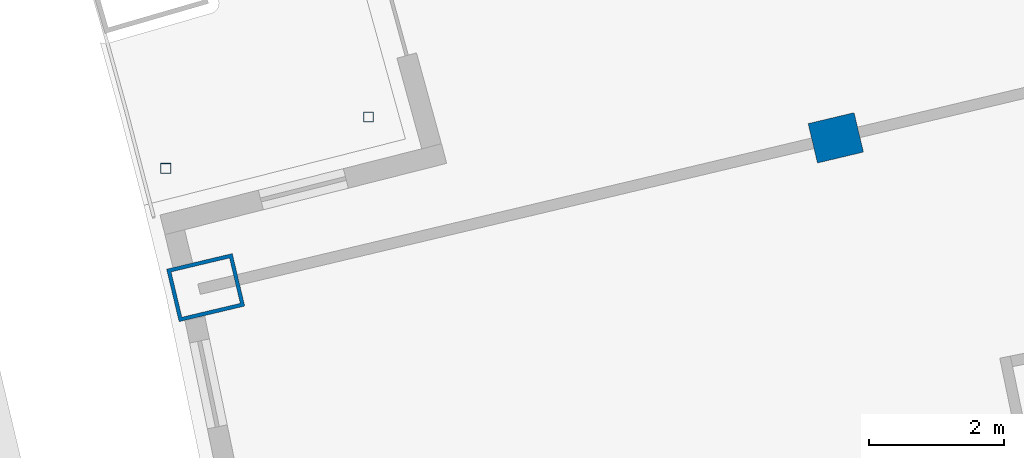
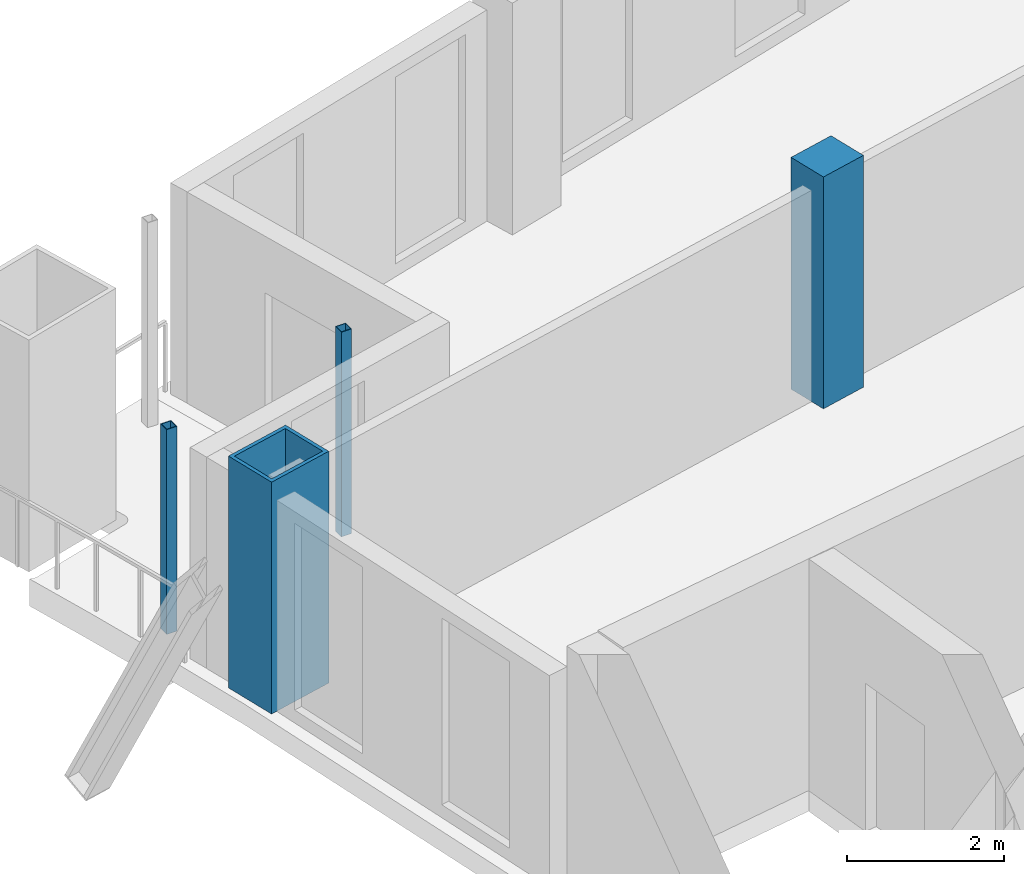
# One storey, part 3 of 17: 4 columns.
"""IFC4 building model written with IfcOpenShell, lengths in metres."""

from ifc_helpers import new_model, si_unit, direction, frame, origin, origin_2d, place, context, subcontext, project, spatial, rectangle, hollow_rectangle, extrude, material, material_profile, profile_set, type_object, element, save


model = new_model("IFC4")

# Units and contexts
model_context = context("Model", 3, precision=1e-05, world=origin(), true_north=direction((0.0, 1.0)))
body_context = subcontext(model_context, "Body", "Model", "MODEL_VIEW")
ifc_project = project(units=[si_unit("LENGTHUNIT", "METRE"), si_unit("AREAUNIT", "SQUARE_METRE"), si_unit("VOLUMEUNIT", "CUBIC_METRE"), si_unit("PLANEANGLEUNIT", "RADIAN"), si_unit("MASSUNIT", "GRAM", prefix="KILO")], contexts=[model_context])

# Site, building, storey
site_placement = place(None, origin())
site = spatial("IfcSite", under=ifc_project, at=site_placement, CompositionType="ELEMENT")
building_placement = place(site_placement, origin())
building = spatial("IfcBuilding", under=site, at=building_placement, Name="Alderwake Tower", CompositionType="ELEMENT")
storey_placement = place(building_placement, frame((0.0, 0.0, 256.39990234375)))
storey = spatial("IfcBuildingStorey", under=building, at=storey_placement, Name="L63", CompositionType="ELEMENT", Elevation=256.39990234375)

# Columns
ifc_material_1 = material(Name="Concrete C70/85", Category="concrete")
ifc_material_profile_1 = material_profile(ifc_material_1, rectangle(XDim=0.60009765625, YDim=0.699951171875, at=origin_2d()), Name="RC 700X600")
ifc_profile_set_1 = profile_set([ifc_material_profile_1], Name="Concrete C70/85")
column_type_1 = type_object("IfcColumnType", Name="Interior column Z5", PredefinedType="COLUMN", material=ifc_profile_set_1)
column_1_placement = place(storey_placement, frame((23.322021484375, 85.555908203125, 0.0), z_axis=(0.0, 0.0, 1.0), x_axis=(-0.231221547198, 0.972901123502, 0.0)))
element("IfcColumn", 1, at=column_1_placement, inside=storey, type_object=column_type_1, Name="Column R11-C1", PredefinedType="COLUMN", context=body_context, shape_type="SweptSolid", body=[
    extrude(rectangle(XDim=0.60009765625, YDim=0.699951171875, at=origin_2d()), origin(), (0.0, 0.0, 1.0), 3.60009765625),
])
ifc_material_2 = material(Name="Steel ASTM A500 Grade C", Category="steel")
ifc_material_profile_2 = material_profile(ifc_material_2, hollow_rectangle(XDim=0.15234375, YDim=0.15234375, WallThickness=0.0087890625, at=origin_2d()), Name="HSS6X6X3/8")
ifc_profile_set_2 = profile_set([ifc_material_profile_2], Name="Steel ASTM A500 Grade C")
column_type_2 = type_object("IfcColumnType", Name="Light post HSS6X6X3/8", PredefinedType="COLUMN", material=ifc_profile_set_2)
for number, where, z_axis, x_axis, name in (
    (2, (13.3896484375, 85.103515625, 0.0), (0.0, 0.0, 1.0), (1.0, 0.0, 0.0), "Terrace post RN1"),
    (3, (16.39501953125, 85.864013671875, 0.0), (0.0, 0.0, 1.0), (1.0, 0.0, 0.0), "Terrace post RN3"),
):
    element("IfcColumn", number, at=place(storey_placement, frame(where, z_axis=z_axis, x_axis=x_axis)), inside=storey, type_object=column_type_2, Name=name, PredefinedType="COLUMN", context=body_context, shape_type="SweptSolid", body=[
        extrude(hollow_rectangle(XDim=0.15234375, YDim=0.15234375, WallThickness=0.0087890625, at=origin_2d()), origin(), (0.0, 0.0, 1.0), 3.18017578125),
    ])
ifc_material_3 = material(Name="Steel ASTM A572 Grade 50 concrete filled C70/85", Category="concrete")
ifc_material_profile_3 = material_profile(ifc_material_3, hollow_rectangle(XDim=0.800048828125, YDim=1.0, WallThickness=0.054931640625, at=origin_2d()), Name="BOX 1000X800X55")
ifc_profile_set_3 = profile_set([ifc_material_profile_3], Name="Steel ASTM A572 Grade 50 concrete filled C70/85")
column_type_3 = type_object("IfcColumnType", Name="Perimeter column Z5", PredefinedType="COLUMN", material=ifc_profile_set_3)
column_2_placement = place(storey_placement, frame((13.982177734375, 83.3359375, 0.0), z_axis=(0.0, 0.0, 1.0), x_axis=(-0.231221547198, 0.972901123502, 0.0)))
element("IfcColumn", 4, at=column_2_placement, inside=storey, type_object=column_type_3, Name="Column R11-C0", PredefinedType="COLUMN", context=body_context, shape_type="SweptSolid", body=[
    extrude(hollow_rectangle(XDim=0.800048828125, YDim=1.0, WallThickness=0.054931640625, at=origin_2d()), origin(), (0.0, 0.0, 1.0), 3.60009765625),
])

save(model, "model.ifc")
